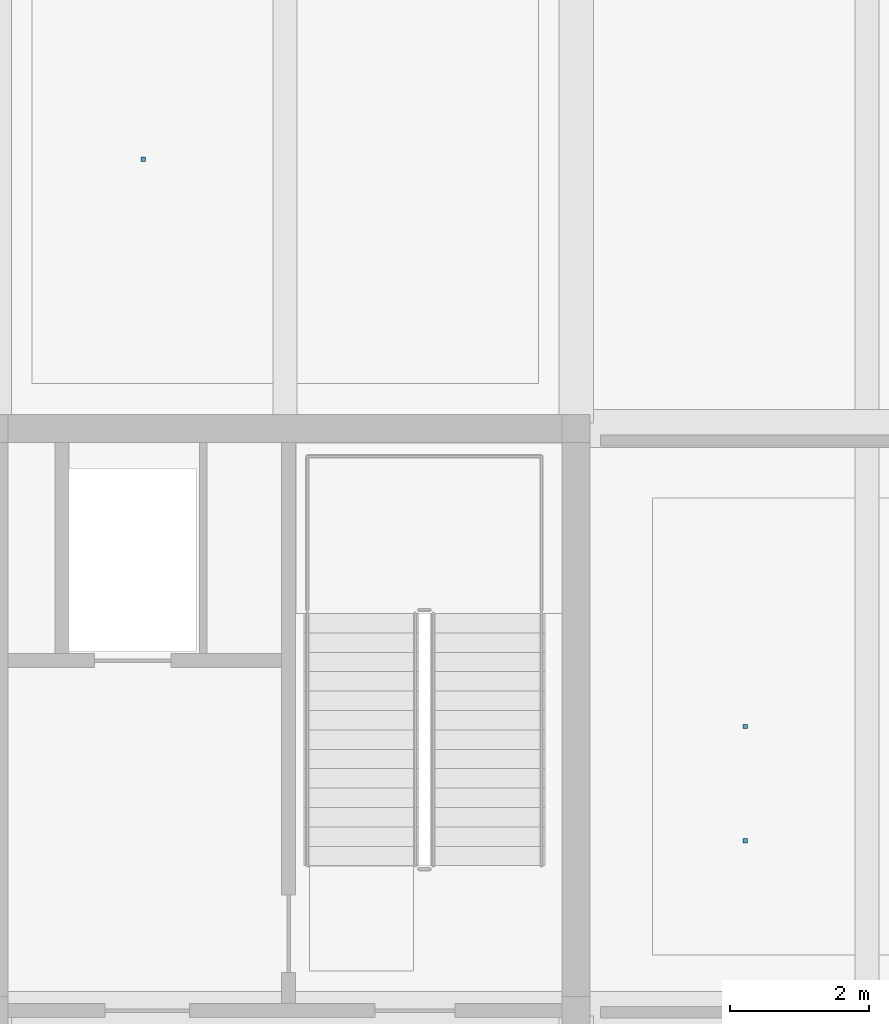
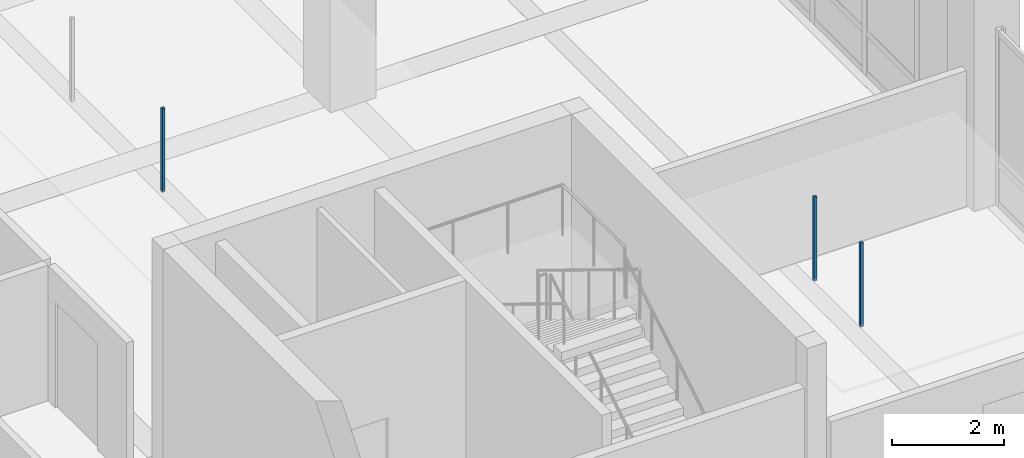
# One storey, part 65 of 128: 3 discrete accessories.
"""IFC4 building model written with IfcOpenShell, lengths in metres."""

from ifc_helpers import new_model, si_unit, direction, frame, origin, origin_2d, place, context, subcontext, project, spatial, rectangle, extrude, material, type_object, element, save


model = new_model("IFC4")

# Units and contexts
model_context = context("Model", 3, precision=1e-05, world=origin(), true_north=direction((0.0, 1.0)))
body_context = subcontext(model_context, "Body", "Model", "MODEL_VIEW")
ifc_project = project(units=[si_unit("LENGTHUNIT", "METRE"), si_unit("AREAUNIT", "SQUARE_METRE"), si_unit("VOLUMEUNIT", "CUBIC_METRE"), si_unit("PLANEANGLEUNIT", "RADIAN"), si_unit("MASSUNIT", "GRAM", prefix="KILO")], contexts=[model_context])

# Site, building, storey
site_placement = place(None, origin())
site = spatial("IfcSite", under=ifc_project, at=site_placement, CompositionType="ELEMENT")
building_placement = place(site_placement, origin())
building = spatial("IfcBuilding", under=site, at=building_placement, Name="Telukmera Botanical Conservatory", CompositionType="ELEMENT")
storey_placement = place(building_placement, frame((0.0, 0.0, 5.39990234375)))
storey = spatial("IfcBuildingStorey", under=building, at=storey_placement, Name="L01", CompositionType="ELEMENT", Elevation=5.39990234375)

# Discrete accessories
ifc_material = material(Name="Steel S355", Category="steel")
discrete_accessory_type = type_object("IfcDiscreteAccessoryType", Name="ACC-CEIL-HGR", PredefinedType="BRACKET", material=ifc_material)
for number, where, z_axis, x_axis, name in (
    (1, (103.241943359375, 28.449951171875, 2.76025390625), (0.0, 0.0, 1.0), (1.0, 0.0, 0.0), "L01 Suspended Ceiling Hanger Rod 058-1"),
    (2, (103.241943359375, 30.10009765625, 2.76025390625), (0.0, 0.0, 1.0), (1.0, 0.0, 0.0), "L01 Suspended Ceiling Hanger Rod 058-2"),
):
    element("IfcDiscreteAccessory", number, at=place(storey_placement, frame(where, z_axis=z_axis, x_axis=x_axis)), inside=storey, type_object=discrete_accessory_type, Name=name, PredefinedType="BRACKET", context=body_context, shape_type="SweptSolid", body=[
        extrude(rectangle(XDim=0.06005859375, YDim=0.06005859375, at=origin_2d()), origin(), (0.0, 0.0, 1.0), 1.824951171875),
    ])
discrete_accessory_placement = place(storey_placement, frame((94.55322265625, 38.28759765625, 2.77001953125), z_axis=(0.0, 0.0, 1.0), x_axis=(1.0, 0.0, 0.0)))
element("IfcDiscreteAccessory", 3, at=discrete_accessory_placement, inside=storey, type_object=discrete_accessory_type, Name="L01 Suspended Ceiling Hanger Rod 071-1", PredefinedType="BRACKET", context=body_context, shape_type="SweptSolid", body=[
    extrude(rectangle(XDim=0.06005859375, YDim=0.06005859375, at=origin_2d()), origin(), (0.0, 0.0, 1.0), 1.81494140625),
])

save(model, "model.ifc")
